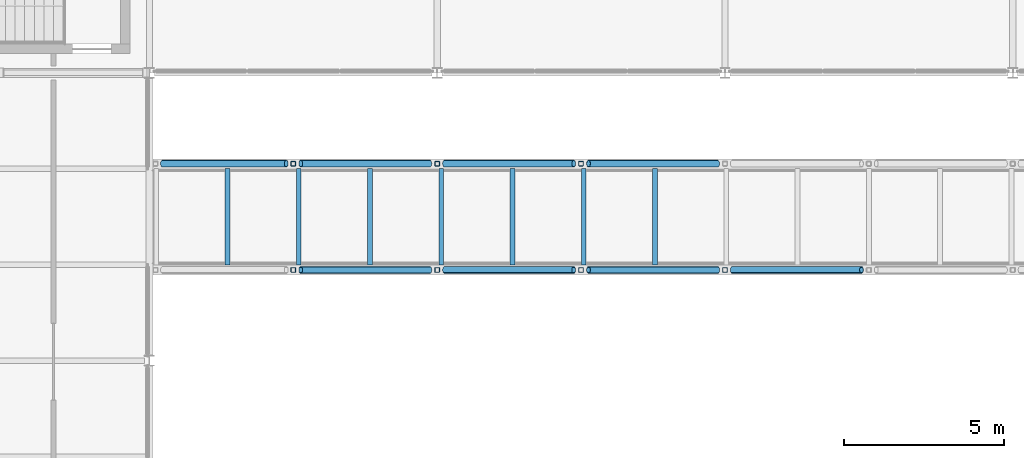
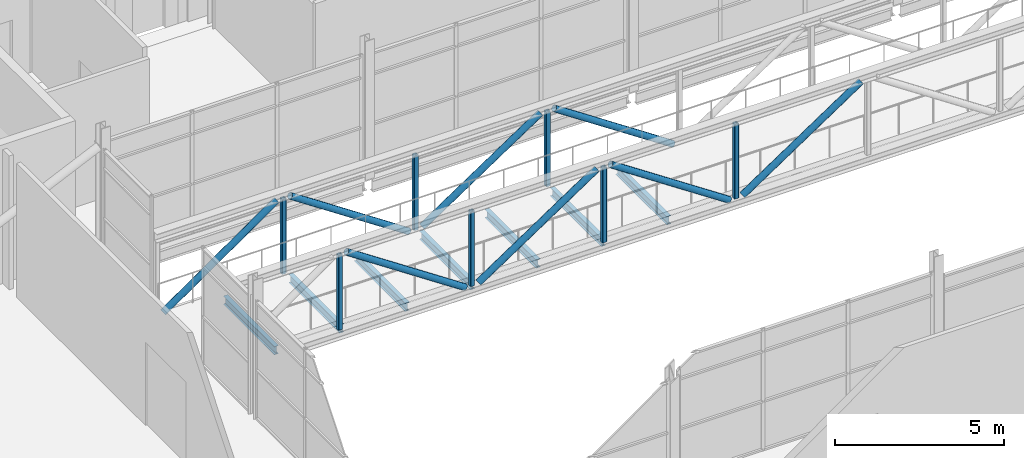
# One storey, part 51 of 115: 15 members, 7 beams.
"""IFC4 building model written with IfcOpenShell, lengths in metres."""

from ifc_helpers import new_model, si_unit, direction, frame, origin, origin_2d, place, context, subcontext, project, spatial, hollow_rectangle, hollow_circle, i_section, extrude, material, material_profile, profile_set, type_object, element, save


model = new_model("IFC4")

# Units and contexts
model_context = context("Model", 3, precision=1e-05, world=origin(), true_north=direction((0.0, 1.0)))
body_context = subcontext(model_context, "Body", "Model", "MODEL_VIEW")
ifc_project = project(units=[si_unit("LENGTHUNIT", "METRE"), si_unit("AREAUNIT", "SQUARE_METRE"), si_unit("VOLUMEUNIT", "CUBIC_METRE"), si_unit("PLANEANGLEUNIT", "RADIAN"), si_unit("MASSUNIT", "GRAM", prefix="KILO")], contexts=[model_context])

# Site, building, storey
site_placement = place(None, origin())
site = spatial("IfcSite", under=ifc_project, at=site_placement, CompositionType="ELEMENT")
building_placement = place(site_placement, origin())
building = spatial("IfcBuilding", under=site, at=building_placement, Name="Shorebreak Coast Museum", CompositionType="ELEMENT")
storey_placement = place(building_placement, frame((0.0, 0.0, 11.0)))
storey = spatial("IfcBuildingStorey", under=building, at=storey_placement, Name="L02", CompositionType="ELEMENT", Elevation=11.0)

# Beams
ifc_material_1 = material(Name="Steel Grade 300", Category="steel")
ifc_material_profile_1 = material_profile(ifc_material_1, i_section(OverallWidth=0.14892578125, OverallDepth=0.298095703125, WebThickness=0.005615234375, FlangeThickness=0.008056640625, FilletRadius=0.012939453125, at=origin_2d()), Name="310UB32.0")
ifc_profile_set_1 = profile_set([ifc_material_profile_1], Name="Steel Grade 300")
beam_type = type_object("IfcBeamType", Name="Atrium bridge cross beam 310UB32.0", PredefinedType="BEAM", material=ifc_profile_set_1)
for number, where, z_axis, x_axis, name in (
    (1, (65.443115234375, 74.989990234375, -0.323974609375), (0.0, 1.0, 0.0), (-1.0, 0.0, 0.0), "Atrium bridge cross beam BR1 02"),
    (2, (67.671630859375, 74.989990234375, -0.323974609375), (0.0, 1.0, 0.0), (-1.0, 0.0, 0.0), "Atrium bridge cross beam BR1 03"),
    (3, (69.900146484375, 74.989990234375, -0.323974609375), (0.0, 1.0, 0.0), (-1.0, 0.0, 0.0), "Atrium bridge cross beam BR1 04"),
    (4, (72.128662109375, 74.989990234375, -0.323974609375), (0.0, 1.0, 0.0), (-1.0, 0.0, 0.0), "Atrium bridge cross beam BR1 05"),
    (5, (74.357177734375, 74.989990234375, -0.323974609375), (0.0, 1.0, 0.0), (-1.0, 0.0, 0.0), "Atrium bridge cross beam BR1 06"),
    (6, (76.585693359375, 74.989990234375, -0.323974609375), (0.0, 1.0, 0.0), (-1.0, 0.0, 0.0), "Atrium bridge cross beam BR1 07"),
    (7, (78.814453125, 74.989990234375, -0.323974609375), (0.0, 1.0, 0.0), (-1.0, 0.0, 0.0), "Atrium bridge cross beam BR1 08"),
):
    element("IfcBeam", number, at=place(storey_placement, frame(where, z_axis=z_axis, x_axis=x_axis)), inside=storey, type_object=beam_type, Name=name, PredefinedType="BEAM", context=body_context, shape_type="SweptSolid", body=[
        extrude(i_section(OverallWidth=0.14892578125, OverallDepth=0.298095703125, WebThickness=0.005615234375, FlangeThickness=0.008056640625, FilletRadius=0.012939453125, at=origin_2d()), origin(), (0.0, 0.0, 1.0), 3.02001953125),
    ])

# Members
ifc_material_2 = material(Name="Steel Grade C350L0", Category="steel")
ifc_material_profile_2 = material_profile(ifc_material_2, hollow_circle(Radius=0.109619140625, WallThickness=0.00830078125, at=origin_2d()), Name="219.1x8.2 CHS")
ifc_profile_set_2 = profile_set([ifc_material_profile_2], Name="Steel Grade C350L0")
member_type_1 = type_object("IfcMemberType", Name="Atrium bridge truss diagonal 219.1x8.2 CHS", PredefinedType="BRACE", material=ifc_profile_set_2)
for number, where, z_axis, x_axis, name in (
    (8, (71.76904296875, 74.83740234375, -0.175048828125), (-0.832042555046, 0.0, 0.554711804987), (0.0, -1.0, 0.0), "Atrium bridge truss BR1 side A diagonal D02"),
    (9, (72.23095703125, 74.83740234375, -0.175048828125), (0.832042555046, 0.0, 0.554711804987), (0.0, 1.0, 0.0), "Atrium bridge truss BR1 side A diagonal D03"),
    (10, (80.76904296875, 74.83740234375, -0.175048828125), (-0.832042555046, 0.0, 0.554711804987), (0.0, -1.0, 0.0), "Atrium bridge truss BR1 side A diagonal D04"),
    (11, (81.23095703125, 74.83740234375, -0.175048828125), (0.832042555046, 0.0, 0.554711804987), (0.0, 1.0, 0.0), "Atrium bridge truss BR1 side A diagonal D05"),
):
    element("IfcMember", number, at=place(storey_placement, frame(where, z_axis=z_axis, x_axis=x_axis)), inside=storey, type_object=member_type_1, Name=name, PredefinedType="BRACE", context=body_context, shape_type="SweptSolid", body=[
        extrude(hollow_circle(Radius=0.109619140625, WallThickness=0.00830078125, at=origin_2d()), origin(), (0.0, 0.0, 1.0), 4.853271484375),
    ])
member_placement = place(storey_placement, frame((63.410888671875, 78.16259765625, -0.175048828125), z_axis=(0.820764739415, 0.0, 0.571266349904), x_axis=(0.0, 1.0, 0.0)))
element("IfcMember", 12, at=member_placement, inside=storey, type_object=member_type_1, Name="Atrium bridge truss BR1 side B diagonal D01", PredefinedType="BRACE", context=body_context, shape_type="SweptSolid", body=[
    extrude(hollow_circle(Radius=0.109619140625, WallThickness=0.00830078125, at=origin_2d()), origin(), (0.0, 0.0, 1.0), 4.712646484375),
])
for number, where, z_axis, x_axis, name in (
    (13, (71.76904296875, 78.16259765625, -0.175048828125), (-0.832042555046, 0.0, 0.554711804987), (0.0, -1.0, 0.0), "Atrium bridge truss BR1 side B diagonal D02"),
    (14, (72.23095703125, 78.16259765625, -0.175048828125), (0.832042555046, 0.0, 0.554711804987), (0.0, 1.0, 0.0), "Atrium bridge truss BR1 side B diagonal D03"),
    (15, (80.76904296875, 78.16259765625, -0.175048828125), (-0.832042555046, 0.0, 0.554711804987), (0.0, -1.0, 0.0), "Atrium bridge truss BR1 side B diagonal D04"),
):
    element("IfcMember", number, at=place(storey_placement, frame(where, z_axis=z_axis, x_axis=x_axis)), inside=storey, type_object=member_type_1, Name=name, PredefinedType="BRACE", context=body_context, shape_type="SweptSolid", body=[
        extrude(hollow_circle(Radius=0.109619140625, WallThickness=0.00830078125, at=origin_2d()), origin(), (0.0, 0.0, 1.0), 4.853271484375),
    ])
ifc_material_3 = material(Name="Steel Grade C450L0", Category="steel")
ifc_material_profile_3 = material_profile(ifc_material_3, hollow_rectangle(XDim=0.14990234375, YDim=0.14990234375, WallThickness=0.009033203125, InnerFilletRadius=0.013427734375, OuterFilletRadius=0.0224609375, at=origin_2d()), Name="150x150x9.0 SHS")
ifc_profile_set_3 = profile_set([ifc_material_profile_3], Name="Steel Grade C450L0")
member_type_2 = type_object("IfcMemberType", Name="Atrium bridge truss strut 150x150x9.0 SHS", PredefinedType="STRUT", material=ifc_profile_set_3)
for number, where, z_axis, x_axis, name in (
    (16, (67.5, 74.83740234375, -0.175048828125), (0.0, 0.0, 1.0), (1.0, 0.0, 0.0), "Atrium bridge truss BR1 side A strut V02"),
    (17, (72.0, 74.83740234375, -0.175048828125), (0.0, 0.0, 1.0), (1.0, 0.0, 0.0), "Atrium bridge truss BR1 side A strut V03"),
    (18, (76.5, 74.83740234375, -0.175048828125), (0.0, 0.0, 1.0), (1.0, 0.0, 0.0), "Atrium bridge truss BR1 side A strut V04"),
    (19, (81.0, 74.83740234375, -0.175048828125), (0.0, 0.0, 1.0), (1.0, 0.0, 0.0), "Atrium bridge truss BR1 side A strut V05"),
    (20, (67.5, 78.16259765625, -0.175048828125), (0.0, 0.0, 1.0), (1.0, 0.0, 0.0), "Atrium bridge truss BR1 side B strut V02"),
    (21, (72.0, 78.16259765625, -0.175048828125), (0.0, 0.0, 1.0), (1.0, 0.0, 0.0), "Atrium bridge truss BR1 side B strut V03"),
    (22, (76.5, 78.16259765625, -0.175048828125), (0.0, 0.0, 1.0), (1.0, 0.0, 0.0), "Atrium bridge truss BR1 side B strut V04"),
):
    element("IfcMember", number, at=place(storey_placement, frame(where, z_axis=z_axis, x_axis=x_axis)), inside=storey, type_object=member_type_2, Name=name, PredefinedType="STRUT", context=body_context, shape_type="SweptSolid", body=[
        extrude(hollow_rectangle(XDim=0.14990234375, YDim=0.14990234375, WallThickness=0.009033203125, InnerFilletRadius=0.013427734375, OuterFilletRadius=0.0224609375, at=origin_2d()), origin(), (0.0, 0.0, 1.0), 2.692138671875),
    ])

save(model, "model.ifc")
